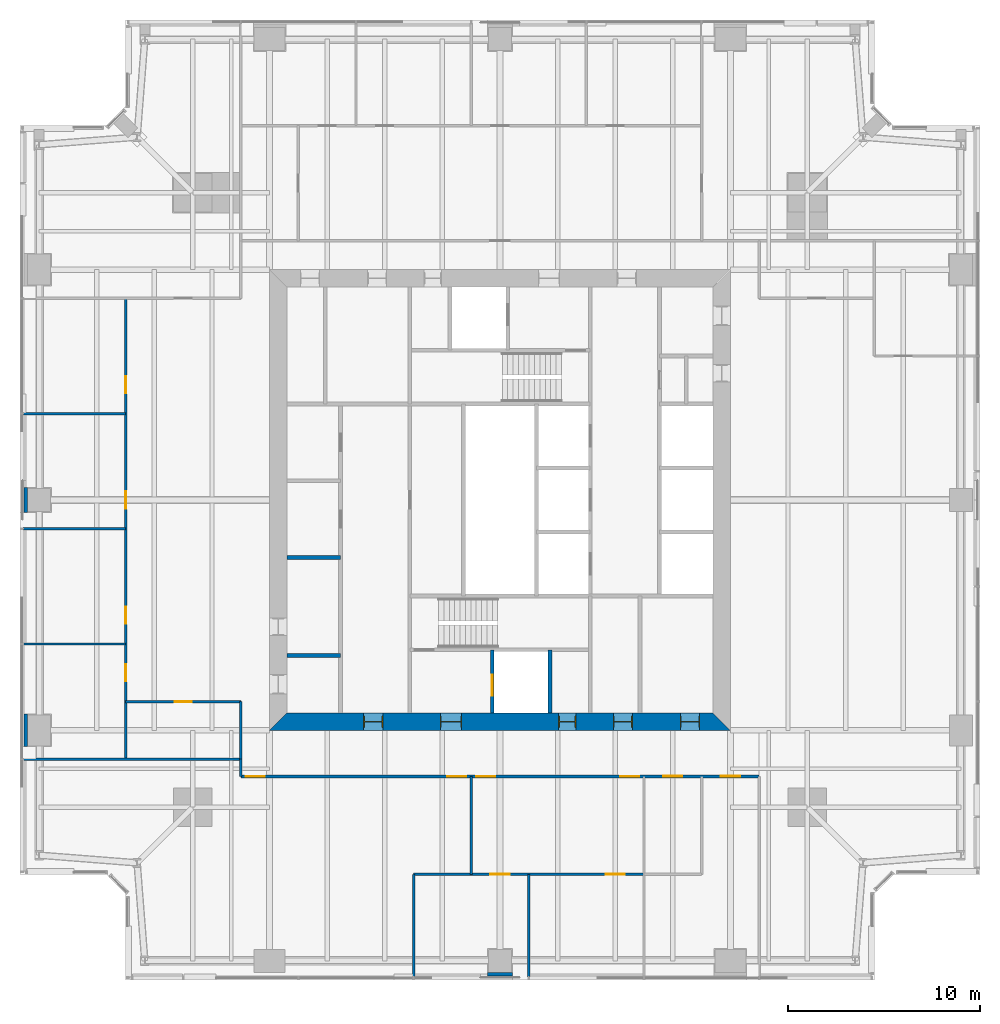
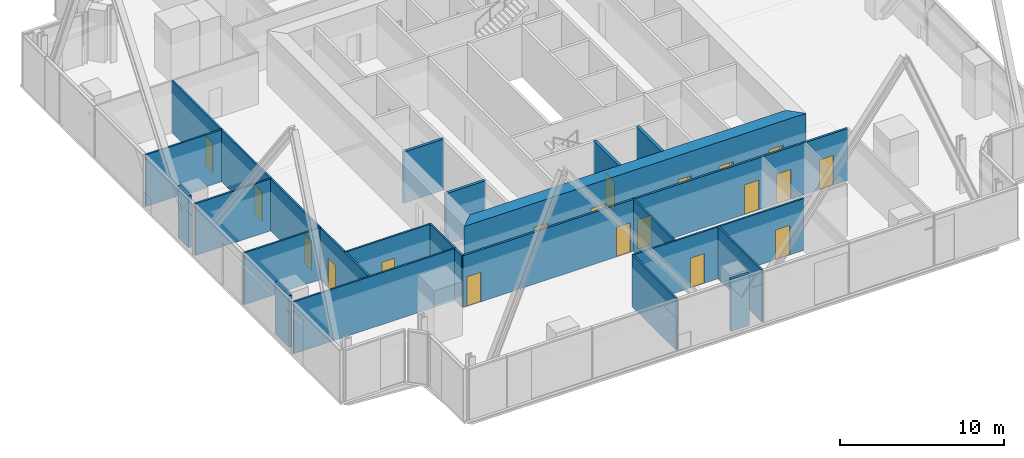
# One storey, part 9 of 14: 21 walls, 19 doors, 19 openings.
"""IFC4 building model written with IfcOpenShell, lengths in metres."""

from ifc_helpers import new_model, si_unit, direction, frame, frame_2d, origin, place, context, subcontext, project, spatial, polyline, rectangle, outline, extrude, material, layer, layer_set, type_object, element, fill, save


model = new_model("IFC4")

# Units and contexts
model_context = context("Model", 3, precision=1e-05, world=origin(), true_north=direction((0.0, 1.0)))
body_context = subcontext(model_context, "Body", "Model", "MODEL_VIEW")
ifc_project = project(units=[si_unit("LENGTHUNIT", "METRE"), si_unit("AREAUNIT", "SQUARE_METRE"), si_unit("VOLUMEUNIT", "CUBIC_METRE"), si_unit("PLANEANGLEUNIT", "RADIAN"), si_unit("MASSUNIT", "GRAM", prefix="KILO")], contexts=[model_context])

# Site, building, storey
site_placement = place(None, origin())
site = spatial("IfcSite", under=ifc_project, at=site_placement, CompositionType="ELEMENT")
building_placement = place(site_placement, origin())
building = spatial("IfcBuilding", under=site, at=building_placement, Name="Fenwick Lantern Interchange", CompositionType="ELEMENT")
storey_placement = place(building_placement, frame((0.0, 0.0, 185.800048828125)))
storey = spatial("IfcBuildingStorey", under=building, at=storey_placement, Name="L43", CompositionType="ELEMENT", Elevation=185.800048828125)

# Walls
ifc_material_1 = material(Name="Fire-rated gypsum board encasement on steel studs, 2 hour", Category="steel")
ifc_layer_1 = layer(ifc_material_1, 1.300048828125)
ifc_layer_set_1 = layer_set([ifc_layer_1], Name="COLUMN PIER 1300")
wall_type_1 = type_object("IfcWallType", Name="COLUMN PIER 1300", PredefinedType="PARTITIONING", material=ifc_layer_set_1)
for number, where, z_axis, x_axis, name in (
    (1, (25.0, 0.199951171875, 0.0), (0.0, 0.0, 1.0), (0.0, 1.0, 0.0), "L43/W/PIER/CS3"),
    (2, (0.199951171875, 25.0, 0.0), (0.0, 0.0, 1.0), (1.0, 0.0, 0.0), "L43/W/PIER/CW3"),
):
    element("IfcWall", number, at=place(storey_placement, frame(where, z_axis=z_axis, x_axis=x_axis)), inside=storey, type_object=wall_type_1, Name=name, PredefinedType="PARTITIONING", context=body_context, shape_type="SweptSolid", body=[
        extrude(rectangle(XDim=0.199951171875, YDim=1.300048828125, at=frame_2d((0.10009765625, 0.0))), origin(), (0.0, 0.0, 1.0), 3.849853515625),
    ])
ifc_layer_2 = layer(ifc_material_1, 1.699951171875)
ifc_layer_set_2 = layer_set([ifc_layer_2], Name="COLUMN PIER 1700")
wall_type_2 = type_object("IfcWallType", Name="COLUMN PIER 1700", PredefinedType="PARTITIONING", material=ifc_layer_set_2)
wall_1_placement = place(storey_placement, frame((0.199951171875, 13.0, 0.0), z_axis=(0.0, 0.0, 1.0), x_axis=(1.0, 0.0, 0.0)))
element("IfcWall", 3, at=wall_1_placement, inside=storey, type_object=wall_type_2, Name="L43/W/PIER/CW4", PredefinedType="PARTITIONING", context=body_context, shape_type="SweptSolid", body=[
    extrude(rectangle(XDim=0.199951171875, YDim=1.699951171875, at=frame_2d((0.10009765625, 0.0))), origin(), (0.0, 0.0, 1.0), 3.849853515625),
])

# Wall, opening, door
ifc_material_2 = material(Name="Concrete masonry ASTM C90 Grade N", Category="masonry")
ifc_layer_3 = layer(ifc_material_2, 0.199951171875)
ifc_layer_set_3 = layer_set([ifc_layer_3], Name="Concrete masonry ASTM C90 Grade N")
wall_type_3 = type_object("IfcWallType", Name="CORE PARTITION 200", PredefinedType="PARTITIONING", material=ifc_layer_set_3)
wall_2_placement = place(storey_placement, frame((24.60009765625, 13.89990234375, 0.0), z_axis=(0.0, 0.0, 1.0), x_axis=(0.0, 1.0, 0.0)))
wall_2 = element("IfcWall", 4, at=wall_2_placement, inside=storey, type_object=wall_type_3, Name="L43/W/CORES/h1", PredefinedType="PARTITIONING", context=body_context, shape_type="SweptSolid", body=[
    extrude(rectangle(XDim=3.300048828125, YDim=0.199951171875, at=frame_2d((1.64990234375, 0.0))), origin(), (0.0, 0.0, 1.0), 3.800048828125),
])
opening_1_placement = place(wall_2_placement, frame((0.89990234375, 0.0, 0.0)))
opening_1 = element("IfcOpeningElement", 5, at=opening_1_placement, cuts=wall_2, Name="Opening LD-FL1", PredefinedType="OPENING", context=body_context, shape_type="SweptSolid", body=[
    extrude(rectangle(XDim=1.10009765625, YDim=2.199951171875, at=frame_2d((0.550048828125, 1.10009765625))), frame((0.0, 0.10986328125, 0.0), z_axis=(0.0, -1.0, 0.0), x_axis=(1.0, 0.0, 0.0)), (0.0, 0.0, 1.0), 0.219970703125),
])
ifc_material_3 = material(Name="Steel door and frame", Category="steel")
door_type_1 = type_object("IfcDoorType", Name="LIFT LANDING DOOR 1100 X 2200", OperationType="DOUBLE_DOOR_SLIDING", PredefinedType="DOOR", material=ifc_material_3)
door_1_placement = place(opening_1_placement, origin())
door_1 = element("IfcDoor", 6, at=door_1_placement, inside=storey, type_object=door_type_1, Name="Lift landing door FL1", OperationType="DOUBLE_DOOR_SLIDING", OverallHeight=2.199951171875, OverallWidth=1.10009765625, PredefinedType="DOOR", context=body_context, shape_type="SweptSolid", body=[
    extrude(rectangle(XDim=1.10009765625, YDim=2.199951171875, at=frame_2d((0.550048828125, 1.10009765625))), frame((0.0, 0.02490234375, 0.0), z_axis=(0.0, -1.0, 0.0), x_axis=(1.0, 0.0, 0.0)), (0.0, 0.0, 1.0), 0.050048828125),
])
fill(opening_1, door_1)

# Walls
wall_3_placement = place(storey_placement, frame((27.60009765625, 13.89990234375, 0.0), z_axis=(0.0, 0.0, 1.0), x_axis=(0.0, 1.0, 0.0)))
element("IfcWall", 7, at=wall_3_placement, inside=storey, type_object=wall_type_3, Name="L43/W/CORES/h2", PredefinedType="PARTITIONING", context=body_context, shape_type="SweptSolid", body=[
    extrude(rectangle(XDim=3.300048828125, YDim=0.199951171875, at=frame_2d((1.64990234375, 0.0))), origin(), (0.0, 0.0, 1.0), 3.800048828125),
])
for number, where, z_axis, x_axis, name in (
    (8, (13.89990234375, 16.89990234375, 0.0), (0.0, 0.0, 1.0), (1.0, 0.0, 0.0), "L43/W/CORES/p1"),
    (9, (13.89990234375, 22.0, 0.0), (0.0, 0.0, 1.0), (1.0, 0.0, 0.0), "L43/W/CORES/p2"),
):
    element("IfcWall", number, at=place(storey_placement, frame(where, z_axis=z_axis, x_axis=x_axis)), inside=storey, type_object=wall_type_3, Name=name, PredefinedType="PARTITIONING", context=body_context, shape_type="SweptSolid", body=[
        extrude(rectangle(XDim=2.800048828125, YDim=0.199951171875, at=frame_2d((1.39990234375, 0.0))), origin(), (0.0, 0.0, 1.0), 3.800048828125),
    ])

# Wall, openings, doors
ifc_material_4 = material(Name="Concrete f'c 70 MPa", Category="concrete")
ifc_layer_4 = layer(ifc_material_4, 0.89990234375)
ifc_layer_set_4 = layer_set([ifc_layer_4], Name="CORE WALL 900")
wall_type_4 = type_object("IfcWallType", Name="CORE WALL 900", PredefinedType="SHEAR", material=ifc_layer_set_4)
wall_4_placement = place(storey_placement, frame((13.0, 13.449951171875, 0.0), z_axis=(0.0, 0.0, 1.0), x_axis=(1.0, 0.0, 0.0)))
wall_4 = element("IfcWall", 10, at=wall_4_placement, inside=storey, type_object=wall_type_4, Name="L43/CORE/S", PredefinedType="SHEAR", context=body_context, shape_type="SweptSolid", body=[
    extrude(outline(polyline([(0.0, -0.449951171875), (24.0, -0.449951171875), (23.10009765625, 0.449951171875), (0.89990234375, 0.449951171875), (0.0, -0.449951171875)])), origin(), (0.0, 0.0, 1.0), 4.0),
])
opening_2_placement = place(wall_4_placement, frame((4.89990234375, 0.0, 0.0)))
opening_2 = element("IfcOpeningElement", 11, at=opening_2_placement, cuts=wall_4, Name="Opening L43-D001", PredefinedType="OPENING", context=body_context, shape_type="SweptSolid", body=[
    extrude(rectangle(XDim=1.0, YDim=2.199951171875, at=frame_2d((0.5, 1.10009765625))), frame((0.0, 0.4599609375, 0.0), z_axis=(0.0, -1.0, 0.0), x_axis=(1.0, 0.0, 0.0)), (0.0, 0.0, 1.0), 0.919921875),
])
opening_3_placement = place(wall_4_placement, frame((8.89990234375, 0.0, 0.0)))
opening_3 = element("IfcOpeningElement", 12, at=opening_3_placement, cuts=wall_4, Name="Opening L43-D002", PredefinedType="OPENING", context=body_context, shape_type="SweptSolid", body=[
    extrude(rectangle(XDim=1.10009765625, YDim=2.199951171875, at=frame_2d((0.550048828125, 1.10009765625))), frame((0.0, 0.4599609375, 0.0), z_axis=(0.0, -1.0, 0.0), x_axis=(1.0, 0.0, 0.0)), (0.0, 0.0, 1.0), 0.919921875),
])
opening_4_placement = place(wall_4_placement, frame((15.050048828125, 0.0, 0.0)))
opening_4 = element("IfcOpeningElement", 13, at=opening_4_placement, cuts=wall_4, Name="Opening L43-D004", PredefinedType="OPENING", context=body_context, shape_type="SweptSolid", body=[
    extrude(rectangle(XDim=0.89990234375, YDim=2.199951171875, at=frame_2d((0.449951171875, 1.10009765625))), frame((0.0, 0.4599609375, 0.0), z_axis=(0.0, -1.0, 0.0), x_axis=(1.0, 0.0, 0.0)), (0.0, 0.0, 1.0), 0.919921875),
])
opening_5_placement = place(wall_4_placement, frame((17.89990234375, 0.0, 0.0)))
opening_5 = element("IfcOpeningElement", 14, at=opening_5_placement, cuts=wall_4, Name="Opening L43-D005", PredefinedType="OPENING", context=body_context, shape_type="SweptSolid", body=[
    extrude(rectangle(XDim=1.0, YDim=2.199951171875, at=frame_2d((0.5, 1.10009765625))), frame((0.0, 0.4599609375, 0.0), z_axis=(0.0, -1.0, 0.0), x_axis=(1.0, 0.0, 0.0)), (0.0, 0.0, 1.0), 0.919921875),
])
opening_6_placement = place(wall_4_placement, frame((21.39990234375, 0.0, 0.0)))
opening_6 = element("IfcOpeningElement", 15, at=opening_6_placement, cuts=wall_4, Name="Opening L43-D006", PredefinedType="OPENING", context=body_context, shape_type="SweptSolid", body=[
    extrude(rectangle(XDim=1.0, YDim=2.199951171875, at=frame_2d((0.5, 1.10009765625))), frame((0.0, 0.4599609375, 0.0), z_axis=(0.0, -1.0, 0.0), x_axis=(1.0, 0.0, 0.0)), (0.0, 0.0, 1.0), 0.919921875),
])
door_type_2 = type_object("IfcDoorType", Name="CORE LOBBY DOOR 1000 X 2200", OperationType="SINGLE_SWING_LEFT", PredefinedType="DOOR", material=ifc_material_3)
door_2_placement = place(opening_2_placement, origin())
door_2 = element("IfcDoor", 16, at=door_2_placement, inside=storey, type_object=door_type_2, Name="Core lobby door", OperationType="SINGLE_SWING_LEFT", OverallHeight=2.199951171875, OverallWidth=1.0, PredefinedType="DOOR", context=body_context, shape_type="SweptSolid", body=[
    extrude(rectangle(XDim=1.0, YDim=2.199951171875, at=frame_2d((0.5, 1.10009765625))), frame((0.0, 0.02490234375, 0.0), z_axis=(0.0, -1.0, 0.0), x_axis=(1.0, 0.0, 0.0)), (0.0, 0.0, 1.0), 0.050048828125),
    extrude(outline(polyline([(0.0, 0.0), (0.0400390625, 0.0), (0.0400390625, 2.159912109375), (0.9599609375, 2.159912109375), (0.9599609375, 0.0), (1.0, 0.0), (1.0, 2.199951171875), (0.0, 2.199951171875), (0.0, 0.0)])), frame((0.0, 0.300048828125, 0.0), z_axis=(0.0, -1.0, 0.0), x_axis=(1.0, 0.0, 0.0)), (0.0, 0.0, 1.0), 0.60009765625),
])
fill(opening_2, door_2)
door_type_3 = type_object("IfcDoorType", Name="FIRE LOBBY DOOR 1100 X 2200", OperationType="SINGLE_SWING_LEFT", PredefinedType="DOOR", material=ifc_material_3)
door_3_placement = place(opening_3_placement, origin())
door_3 = element("IfcDoor", 17, at=door_3_placement, inside=storey, type_object=door_type_3, Name="Fire lobby door", OperationType="SINGLE_SWING_LEFT", OverallHeight=2.199951171875, OverallWidth=1.10009765625, PredefinedType="DOOR", context=body_context, shape_type="SweptSolid", body=[
    extrude(rectangle(XDim=1.10009765625, YDim=2.199951171875, at=frame_2d((0.550048828125, 1.10009765625))), frame((0.0, 0.02490234375, 0.0), z_axis=(0.0, -1.0, 0.0), x_axis=(1.0, 0.0, 0.0)), (0.0, 0.0, 1.0), 0.050048828125),
    extrude(outline(polyline([(0.0, 0.0), (0.0400390625, 0.0), (0.0400390625, 2.159912109375), (1.06005859375, 2.159912109375), (1.06005859375, 0.0), (1.10009765625, 0.0), (1.10009765625, 2.199951171875), (0.0, 2.199951171875), (0.0, 0.0)])), frame((0.0, 0.300048828125, 0.0), z_axis=(0.0, -1.0, 0.0), x_axis=(1.0, 0.0, 0.0)), (0.0, 0.0, 1.0), 0.60009765625),
])
fill(opening_3, door_3)
door_type_4 = type_object("IfcDoorType", Name="SERVICE DOOR 900 X 2200", OperationType="SINGLE_SWING_LEFT", PredefinedType="DOOR", material=ifc_material_3)
door_4_placement = place(opening_4_placement, origin())
door_4 = element("IfcDoor", 18, at=door_4_placement, inside=storey, type_object=door_type_4, Name="Service door", OperationType="SINGLE_SWING_LEFT", OverallHeight=2.199951171875, OverallWidth=0.89990234375, PredefinedType="DOOR", context=body_context, shape_type="SweptSolid", body=[
    extrude(rectangle(XDim=0.89990234375, YDim=2.199951171875, at=frame_2d((0.449951171875, 1.10009765625))), frame((0.0, 0.02490234375, 0.0), z_axis=(0.0, -1.0, 0.0), x_axis=(1.0, 0.0, 0.0)), (0.0, 0.0, 1.0), 0.050048828125),
    extrude(outline(polyline([(0.0, 0.0), (0.0400390625, 0.0), (0.0400390625, 2.159912109375), (0.85986328125, 2.159912109375), (0.85986328125, 0.0), (0.89990234375, 0.0), (0.89990234375, 2.199951171875), (0.0, 2.199951171875), (0.0, 0.0)])), frame((0.0, 0.300048828125, 0.0), z_axis=(0.0, -1.0, 0.0), x_axis=(1.0, 0.0, 0.0)), (0.0, 0.0, 1.0), 0.60009765625),
])
fill(opening_4, door_4)
ifc_material_5 = material(Name="Hardwood door and steel frame", Category="steel")
door_type_5 = type_object("IfcDoorType", Name="WC DOOR 1000 X 2200", OperationType="SINGLE_SWING_LEFT", PredefinedType="DOOR", material=ifc_material_5)
door_5_placement = place(opening_5_placement, origin())
door_5 = element("IfcDoor", 19, at=door_5_placement, inside=storey, type_object=door_type_5, Name="Wc door", OperationType="SINGLE_SWING_RIGHT", OverallHeight=2.199951171875, OverallWidth=1.0, PredefinedType="DOOR", context=body_context, shape_type="SweptSolid", body=[
    extrude(rectangle(XDim=1.0, YDim=2.199951171875, at=frame_2d((0.5, 1.10009765625))), frame((0.0, 0.02490234375, 0.0), z_axis=(0.0, -1.0, 0.0), x_axis=(1.0, 0.0, 0.0)), (0.0, 0.0, 1.0), 0.050048828125),
    extrude(outline(polyline([(0.0, 0.0), (0.0400390625, 0.0), (0.0400390625, 2.159912109375), (0.9599609375, 2.159912109375), (0.9599609375, 0.0), (1.0, 0.0), (1.0, 2.199951171875), (0.0, 2.199951171875), (0.0, 0.0)])), frame((0.0, 0.300048828125, 0.0), z_axis=(0.0, -1.0, 0.0), x_axis=(1.0, 0.0, 0.0)), (0.0, 0.0, 1.0), 0.60009765625),
])
fill(opening_5, door_5)
door_6_placement = place(opening_6_placement, origin())
door_6 = element("IfcDoor", 20, at=door_6_placement, inside=storey, type_object=door_type_5, Name="Wc door", OperationType="SINGLE_SWING_RIGHT", OverallHeight=2.199951171875, OverallWidth=1.0, PredefinedType="DOOR", context=body_context, shape_type="SweptSolid", body=[
    extrude(rectangle(XDim=1.0, YDim=2.199951171875, at=frame_2d((0.5, 1.10009765625))), frame((0.0, 0.02490234375, 0.0), z_axis=(0.0, -1.0, 0.0), x_axis=(1.0, 0.0, 0.0)), (0.0, 0.0, 1.0), 0.050048828125),
    extrude(outline(polyline([(0.0, 0.0), (0.0400390625, 0.0), (0.0400390625, 2.159912109375), (0.9599609375, 2.159912109375), (0.9599609375, 0.0), (1.0, 0.0), (1.0, 2.199951171875), (0.0, 2.199951171875), (0.0, 0.0)])), frame((0.0, 0.300048828125, 0.0), z_axis=(0.0, -1.0, 0.0), x_axis=(1.0, 0.0, 0.0)), (0.0, 0.0, 1.0), 0.60009765625),
])
fill(opening_6, door_6)

# Wall
ifc_material_6 = material(Name="Gypsum board on steel studs, 1 hour", Category="steel")
ifc_layer_5 = layer(ifc_material_6, 0.14990234375)
ifc_layer_set_5 = layer_set([ifc_layer_5], Name="CORRIDOR WALL 150")
wall_type_5 = type_object("IfcWallType", Name="CORRIDOR WALL 150", PredefinedType="PARTITIONING", material=ifc_layer_set_5)
wall_5_placement = place(storey_placement, frame((11.5, 11.5, 0.0), z_axis=(0.0, 0.0, 1.0), x_axis=(0.0, -1.0, 0.0)))
element("IfcWall", 21, at=wall_5_placement, inside=storey, type_object=wall_type_5, Name="L43/W/OFF/S/CWJ", PredefinedType="PARTITIONING", context=body_context, shape_type="SweptSolid", body=[
    extrude(rectangle(XDim=0.89990234375, YDim=0.14990234375, at=frame_2d((0.449951171875, 0.0))), origin(), (0.0, 0.0, 1.0), 3.849853515625),
])

# Wall, openings, doors
wall_6_placement = place(storey_placement, frame((11.5, 10.60009765625, 0.0), z_axis=(0.0, 0.0, 1.0), x_axis=(1.0, 0.0, 0.0)))
wall_6 = element("IfcWall", 22, at=wall_6_placement, inside=storey, type_object=wall_type_5, Name="L43/W/OFF/S/CW2", PredefinedType="PARTITIONING", context=body_context, shape_type="SweptSolid", body=[
    extrude(rectangle(XDim=27.0, YDim=0.14990234375, at=frame_2d((13.5, 0.0))), origin(), (0.0, 0.0, 1.0), 3.849853515625),
])
opening_7_placement = place(wall_6_placement, frame((12.25, 0.0, 0.0)))
opening_7 = element("IfcOpeningElement", 23, at=opening_7_placement, cuts=wall_6, Name="Opening L43-D021", PredefinedType="OPENING", context=body_context, shape_type="SweptSolid", body=[
    extrude(rectangle(XDim=1.0, YDim=2.199951171875, at=frame_2d((0.5, 1.10009765625))), frame((0.0, 0.0849609375, 0.0), z_axis=(0.0, -1.0, 0.0), x_axis=(1.0, 0.0, 0.0)), (0.0, 0.0, 1.0), 0.169921875),
])
opening_8_placement = place(wall_6_placement, frame((19.75, 0.0, 0.0)))
opening_8 = element("IfcOpeningElement", 24, at=opening_8_placement, cuts=wall_6, Name="Opening L43-D022", PredefinedType="OPENING", context=body_context, shape_type="SweptSolid", body=[
    extrude(rectangle(XDim=1.0, YDim=2.199951171875, at=frame_2d((0.5, 1.10009765625))), frame((0.0, 0.0849609375, 0.0), z_axis=(0.0, -1.0, 0.0), x_axis=(1.0, 0.0, 0.0)), (0.0, 0.0, 1.0), 0.169921875),
])
opening_9_placement = place(wall_6_placement, frame((0.25, 0.0, 0.0)))
opening_9 = element("IfcOpeningElement", 25, at=opening_9_placement, cuts=wall_6, Name="Opening L43-D025", PredefinedType="OPENING", context=body_context, shape_type="SweptSolid", body=[
    extrude(rectangle(XDim=1.0, YDim=2.199951171875, at=frame_2d((0.5, 1.10009765625))), frame((0.0, 0.0849609375, 0.0), z_axis=(0.0, -1.0, 0.0), x_axis=(1.0, 0.0, 0.0)), (0.0, 0.0, 1.0), 0.169921875),
])
opening_10_placement = place(wall_6_placement, frame((10.75, 0.0, 0.0)))
opening_10 = element("IfcOpeningElement", 26, at=opening_10_placement, cuts=wall_6, Name="Opening L43-D026", PredefinedType="OPENING", context=body_context, shape_type="SweptSolid", body=[
    extrude(rectangle(XDim=1.0, YDim=2.199951171875, at=frame_2d((0.5, 1.10009765625))), frame((0.0, 0.0849609375, 0.0), z_axis=(0.0, -1.0, 0.0), x_axis=(1.0, 0.0, 0.0)), (0.0, 0.0, 1.0), 0.169921875),
])
opening_11_placement = place(wall_6_placement, frame((22.0, 0.0, 0.0)))
opening_11 = element("IfcOpeningElement", 27, at=opening_11_placement, cuts=wall_6, Name="Opening L43-D027", PredefinedType="OPENING", context=body_context, shape_type="SweptSolid", body=[
    extrude(rectangle(XDim=1.0, YDim=2.199951171875, at=frame_2d((0.5, 1.10009765625))), frame((0.0, 0.0849609375, 0.0), z_axis=(0.0, -1.0, 0.0), x_axis=(1.0, 0.0, 0.0)), (0.0, 0.0, 1.0), 0.169921875),
])
opening_12_placement = place(wall_6_placement, frame((25.0, 0.0, 0.0)))
opening_12 = element("IfcOpeningElement", 28, at=opening_12_placement, cuts=wall_6, Name="Opening L43-D028", PredefinedType="OPENING", context=body_context, shape_type="SweptSolid", body=[
    extrude(rectangle(XDim=1.0, YDim=2.199951171875, at=frame_2d((0.5, 1.10009765625))), frame((0.0, 0.0849609375, 0.0), z_axis=(0.0, -1.0, 0.0), x_axis=(1.0, 0.0, 0.0)), (0.0, 0.0, 1.0), 0.169921875),
])
door_type_6 = type_object("IfcDoorType", Name="SUITE ENTRANCE DOOR 1000 X 2200", OperationType="SINGLE_SWING_LEFT", PredefinedType="DOOR", material=ifc_material_3)
door_7_placement = place(opening_7_placement, origin())
door_7 = element("IfcDoor", 29, at=door_7_placement, inside=storey, type_object=door_type_6, Name="Suite entrance door", OperationType="SINGLE_SWING_LEFT", OverallHeight=2.199951171875, OverallWidth=1.0, PredefinedType="DOOR", context=body_context, shape_type="SweptSolid", body=[
    extrude(rectangle(XDim=1.0, YDim=2.199951171875, at=frame_2d((0.5, 1.10009765625))), frame((0.0, 0.02490234375, 0.0), z_axis=(0.0, -1.0, 0.0), x_axis=(1.0, 0.0, 0.0)), (0.0, 0.0, 1.0), 0.050048828125),
])
fill(opening_7, door_7)
door_8_placement = place(opening_8_placement, origin())
door_8 = element("IfcDoor", 30, at=door_8_placement, inside=storey, type_object=door_type_6, Name="Suite entrance door", OperationType="SINGLE_SWING_RIGHT", OverallHeight=2.199951171875, OverallWidth=1.0, PredefinedType="DOOR", context=body_context, shape_type="SweptSolid", body=[
    extrude(rectangle(XDim=1.0, YDim=2.199951171875, at=frame_2d((0.5, 1.10009765625))), frame((0.0, 0.02490234375, 0.0), z_axis=(0.0, -1.0, 0.0), x_axis=(1.0, 0.0, 0.0)), (0.0, 0.0, 1.0), 0.050048828125),
])
fill(opening_8, door_8)
door_9_placement = place(opening_9_placement, origin())
door_9 = element("IfcDoor", 31, at=door_9_placement, inside=storey, type_object=door_type_6, Name="Suite entrance door", OperationType="SINGLE_SWING_LEFT", OverallHeight=2.199951171875, OverallWidth=1.0, PredefinedType="DOOR", context=body_context, shape_type="SweptSolid", body=[
    extrude(rectangle(XDim=1.0, YDim=2.199951171875, at=frame_2d((0.5, 1.10009765625))), frame((0.0, 0.02490234375, 0.0), z_axis=(0.0, -1.0, 0.0), x_axis=(1.0, 0.0, 0.0)), (0.0, 0.0, 1.0), 0.050048828125),
])
fill(opening_9, door_9)
door_10_placement = place(opening_10_placement, origin())
door_10 = element("IfcDoor", 32, at=door_10_placement, inside=storey, type_object=door_type_6, Name="Suite entrance door", OperationType="SINGLE_SWING_LEFT", OverallHeight=2.199951171875, OverallWidth=1.0, PredefinedType="DOOR", context=body_context, shape_type="SweptSolid", body=[
    extrude(rectangle(XDim=1.0, YDim=2.199951171875, at=frame_2d((0.5, 1.10009765625))), frame((0.0, 0.02490234375, 0.0), z_axis=(0.0, -1.0, 0.0), x_axis=(1.0, 0.0, 0.0)), (0.0, 0.0, 1.0), 0.050048828125),
])
fill(opening_10, door_10)
door_11_placement = place(opening_11_placement, frame((1.0, 0.0, 0.0), z_axis=(0.0, 0.0, 1.0), x_axis=(-1.0, 0.0, 0.0)))
door_11 = element("IfcDoor", 33, at=door_11_placement, inside=storey, type_object=door_type_6, Name="Suite entrance door", OperationType="SINGLE_SWING_RIGHT", OverallHeight=2.199951171875, OverallWidth=1.0, PredefinedType="DOOR", context=body_context, shape_type="SweptSolid", body=[
    extrude(rectangle(XDim=1.0, YDim=2.199951171875, at=frame_2d((0.5, 1.10009765625))), frame((0.0, 0.02490234375, 0.0), z_axis=(0.0, -1.0, 0.0), x_axis=(1.0, 0.0, 0.0)), (0.0, 0.0, 1.0), 0.050048828125),
])
fill(opening_11, door_11)
door_12_placement = place(opening_12_placement, frame((1.0, 0.0, 0.0), z_axis=(0.0, 0.0, 1.0), x_axis=(-1.0, 0.0, 0.0)))
door_12 = element("IfcDoor", 34, at=door_12_placement, inside=storey, type_object=door_type_6, Name="Suite entrance door", OperationType="SINGLE_SWING_RIGHT", OverallHeight=2.199951171875, OverallWidth=1.0, PredefinedType="DOOR", context=body_context, shape_type="SweptSolid", body=[
    extrude(rectangle(XDim=1.0, YDim=2.199951171875, at=frame_2d((0.5, 1.10009765625))), frame((0.0, 0.02490234375, 0.0), z_axis=(0.0, -1.0, 0.0), x_axis=(1.0, 0.0, 0.0)), (0.0, 0.0, 1.0), 0.050048828125),
])
fill(opening_12, door_12)

# Walls
ifc_material_7 = material(Name="Gypsum board on steel studs, acoustic", Category="steel")
ifc_layer_6 = layer(ifc_material_7, 0.125)
ifc_layer_set_6 = layer_set([ifc_layer_6], Name="OFFICE PARTITION 125")
wall_type_6 = type_object("IfcWallType", Name="OFFICE PARTITION 125", PredefinedType="PARTITIONING", material=ifc_layer_set_6)
wall_7_placement = place(storey_placement, frame((0.14990234375, 11.5, 0.0), z_axis=(0.0, 0.0, 1.0), x_axis=(1.0, 0.0, 0.0)))
element("IfcWall", 35, at=wall_7_placement, inside=storey, type_object=wall_type_6, Name="L43/W/OFF/S/BACK", PredefinedType="PARTITIONING", context=body_context, shape_type="SweptSolid", body=[
    extrude(rectangle(XDim=11.35009765625, YDim=0.125, at=frame_2d((5.675048828125, 0.0))), origin(), (0.0, 0.0, 1.0), 3.849853515625),
])
wall_8_placement = place(storey_placement, frame((20.5, 0.14990234375, 0.0), z_axis=(0.0, 0.0, 1.0), x_axis=(0.0, 1.0, 0.0)))
element("IfcWall", 36, at=wall_8_placement, inside=storey, type_object=wall_type_6, Name="L43/W/OFF/S/X205-1", PredefinedType="PARTITIONING", context=body_context, shape_type="SweptSolid", body=[
    extrude(rectangle(XDim=5.35009765625, YDim=0.125, at=frame_2d((2.675048828125, 0.0))), origin(), (0.0, 0.0, 1.0), 3.849853515625),
])
wall_9_placement = place(storey_placement, frame((23.5, 5.5, 0.0), z_axis=(0.0, 0.0, 1.0), x_axis=(0.0, 1.0, 0.0)))
element("IfcWall", 37, at=wall_9_placement, inside=storey, type_object=wall_type_6, Name="L43/W/OFF/S/X235-1", PredefinedType="PARTITIONING", context=body_context, shape_type="SweptSolid", body=[
    extrude(rectangle(XDim=5.10009765625, YDim=0.125, at=frame_2d((2.550048828125, 0.0))), origin(), (0.0, 0.0, 1.0), 3.849853515625),
])
wall_10_placement = place(storey_placement, frame((26.5, 0.14990234375, 0.0), z_axis=(0.0, 0.0, 1.0), x_axis=(0.0, 1.0, 0.0)))
element("IfcWall", 38, at=wall_10_placement, inside=storey, type_object=wall_type_6, Name="L43/W/OFF/S/X265-1", PredefinedType="PARTITIONING", context=body_context, shape_type="SweptSolid", body=[
    extrude(rectangle(XDim=5.35009765625, YDim=0.125, at=frame_2d((2.675048828125, 0.0))), origin(), (0.0, 0.0, 1.0), 3.849853515625),
])

# Wall, openings, doors
wall_11_placement = place(storey_placement, frame((20.5, 5.5, 0.0), z_axis=(0.0, 0.0, 1.0), x_axis=(1.0, 0.0, 0.0)))
wall_11 = element("IfcWall", 39, at=wall_11_placement, inside=storey, type_object=wall_type_6, Name="L43/W/OFF/S/Y55-1", PredefinedType="PARTITIONING", context=body_context, shape_type="SweptSolid", body=[
    extrude(rectangle(XDim=12.0, YDim=0.125, at=frame_2d((6.0, 0.0))), origin(), (0.0, 0.0, 1.0), 3.849853515625),
])
opening_13_placement = place(wall_11_placement, frame((4.0, 0.0, 0.0)))
opening_13 = element("IfcOpeningElement", 40, at=opening_13_placement, cuts=wall_11, Name="Opening L43-D023", PredefinedType="OPENING", context=body_context, shape_type="SweptSolid", body=[
    extrude(rectangle(XDim=1.0, YDim=2.199951171875, at=frame_2d((0.5, 1.10009765625))), frame((0.0, 0.072509765625, 0.0), z_axis=(0.0, -1.0, 0.0), x_axis=(1.0, 0.0, 0.0)), (0.0, 0.0, 1.0), 0.14501953125),
])
opening_14_placement = place(wall_11_placement, frame((10.0, 0.0, 0.0)))
opening_14 = element("IfcOpeningElement", 41, at=opening_14_placement, cuts=wall_11, Name="Opening L43-D024", PredefinedType="OPENING", context=body_context, shape_type="SweptSolid", body=[
    extrude(rectangle(XDim=1.0, YDim=2.199951171875, at=frame_2d((0.5, 1.10009765625))), frame((0.0, 0.072509765625, 0.0), z_axis=(0.0, -1.0, 0.0), x_axis=(1.0, 0.0, 0.0)), (0.0, 0.0, 1.0), 0.14501953125),
])
door_type_7 = type_object("IfcDoorType", Name="MEETING ROOM DOOR 1000 X 2200", OperationType="SINGLE_SWING_LEFT", PredefinedType="DOOR", material=ifc_material_5)
door_13_placement = place(opening_13_placement, frame((1.0, 0.0, 0.0), z_axis=(0.0, 0.0, 1.0), x_axis=(-1.0, 0.0, 0.0)))
door_13 = element("IfcDoor", 42, at=door_13_placement, inside=storey, type_object=door_type_7, Name="Meeting room door", OperationType="SINGLE_SWING_LEFT", OverallHeight=2.199951171875, OverallWidth=1.0, PredefinedType="DOOR", context=body_context, shape_type="SweptSolid", body=[
    extrude(rectangle(XDim=1.0, YDim=2.199951171875, at=frame_2d((0.5, 1.10009765625))), frame((0.0, 0.02490234375, 0.0), z_axis=(0.0, -1.0, 0.0), x_axis=(1.0, 0.0, 0.0)), (0.0, 0.0, 1.0), 0.050048828125),
])
fill(opening_13, door_13)
door_14_placement = place(opening_14_placement, frame((1.0, 0.0, 0.0), z_axis=(0.0, 0.0, 1.0), x_axis=(-1.0, 0.0, 0.0)))
door_14 = element("IfcDoor", 43, at=door_14_placement, inside=storey, type_object=door_type_7, Name="Meeting room door", OperationType="SINGLE_SWING_LEFT", OverallHeight=2.199951171875, OverallWidth=1.0, PredefinedType="DOOR", context=body_context, shape_type="SweptSolid", body=[
    extrude(rectangle(XDim=1.0, YDim=2.199951171875, at=frame_2d((0.5, 1.10009765625))), frame((0.0, 0.02490234375, 0.0), z_axis=(0.0, -1.0, 0.0), x_axis=(1.0, 0.0, 0.0)), (0.0, 0.0, 1.0), 0.050048828125),
])
fill(opening_14, door_14)

# Walls
for number, where, z_axis, x_axis, name in (
    (44, (0.14990234375, 29.5, 0.0), (0.0, 0.0, 1.0), (1.0, 0.0, 0.0), "L43/W/OFF/W/X205-1"),
    (45, (0.14990234375, 23.5, 0.0), (0.0, 0.0, 1.0), (1.0, 0.0, 0.0), "L43/W/OFF/W/X265-1"),
    (46, (0.14990234375, 17.5, 0.0), (0.0, 0.0, 1.0), (1.0, 0.0, 0.0), "L43/W/OFF/W/X325-1"),
):
    element("IfcWall", number, at=place(storey_placement, frame(where, z_axis=z_axis, x_axis=x_axis)), inside=storey, type_object=wall_type_6, Name=name, PredefinedType="PARTITIONING", context=body_context, shape_type="SweptSolid", body=[
        extrude(rectangle(XDim=5.35009765625, YDim=0.125, at=frame_2d((2.675048828125, 0.0))), origin(), (0.0, 0.0, 1.0), 3.849853515625),
    ])

# Wall, opening, door
wall_12_placement = place(storey_placement, frame((5.5, 14.5, 0.0), z_axis=(0.0, 0.0, 1.0), x_axis=(1.0, 0.0, 0.0)))
wall_12 = element("IfcWall", 47, at=wall_12_placement, inside=storey, type_object=wall_type_6, Name="L43/W/OFF/W/X355-1", PredefinedType="PARTITIONING", context=body_context, shape_type="SweptSolid", body=[
    extrude(rectangle(XDim=6.0, YDim=0.125, at=frame_2d((3.0, 0.0))), origin(), (0.0, 0.0, 1.0), 3.849853515625),
])
opening_15_placement = place(wall_12_placement, frame((2.550048828125, 0.0, 0.0)))
opening_15 = element("IfcOpeningElement", 48, at=opening_15_placement, cuts=wall_12, Name="Opening L43-D043", PredefinedType="OPENING", context=body_context, shape_type="SweptSolid", body=[
    extrude(rectangle(XDim=0.89990234375, YDim=2.199951171875, at=frame_2d((0.449951171875, 1.10009765625))), frame((0.0, 0.072509765625, 0.0), z_axis=(0.0, -1.0, 0.0), x_axis=(1.0, 0.0, 0.0)), (0.0, 0.0, 1.0), 0.14501953125),
])
door_type_8 = type_object("IfcDoorType", Name="OFFICE DOOR 900 X 2200", OperationType="SINGLE_SWING_LEFT", PredefinedType="DOOR", material=ifc_material_5)
door_15_placement = place(opening_15_placement, frame((0.89990234375, 0.0, 0.0), z_axis=(0.0, 0.0, 1.0), x_axis=(-1.0, 0.0, 0.0)))
door_15 = element("IfcDoor", 49, at=door_15_placement, inside=storey, type_object=door_type_8, Name="Office door", OperationType="SINGLE_SWING_RIGHT", OverallHeight=2.199951171875, OverallWidth=0.89990234375, PredefinedType="DOOR", context=body_context, shape_type="SweptSolid", body=[
    extrude(rectangle(XDim=0.89990234375, YDim=2.199951171875, at=frame_2d((0.449951171875, 1.10009765625))), frame((0.0, 0.02490234375, 0.0), z_axis=(0.0, -1.0, 0.0), x_axis=(1.0, 0.0, 0.0)), (0.0, 0.0, 1.0), 0.050048828125),
])
fill(opening_15, door_15)

# Wall, openings, doors
wall_13_placement = place(storey_placement, frame((5.5, 35.5, 0.0), z_axis=(0.0, 0.0, 1.0), x_axis=(0.0, -1.0, 0.0)))
wall_13 = element("IfcWall", 50, at=wall_13_placement, inside=storey, type_object=wall_type_6, Name="L43/W/OFF/W/Y55-1", PredefinedType="PARTITIONING", context=body_context, shape_type="SweptSolid", body=[
    extrude(rectangle(XDim=24.0, YDim=0.125, at=frame_2d((12.0, 0.0))), origin(), (0.0, 0.0, 1.0), 3.849853515625),
])
opening_16_placement = place(wall_13_placement, frame((4.050048828125, 0.0, 0.0)))
opening_16 = element("IfcOpeningElement", 51, at=opening_16_placement, cuts=wall_13, Name="Opening L43-D039", PredefinedType="OPENING", context=body_context, shape_type="SweptSolid", body=[
    extrude(rectangle(XDim=0.89990234375, YDim=2.199951171875, at=frame_2d((0.449951171875, 1.10009765625))), frame((0.0, 0.072509765625, 0.0), z_axis=(0.0, -1.0, 0.0), x_axis=(1.0, 0.0, 0.0)), (0.0, 0.0, 1.0), 0.14501953125),
])
opening_17_placement = place(wall_13_placement, frame((10.050048828125, 0.0, 0.0)))
opening_17 = element("IfcOpeningElement", 52, at=opening_17_placement, cuts=wall_13, Name="Opening L43-D040", PredefinedType="OPENING", context=body_context, shape_type="SweptSolid", body=[
    extrude(rectangle(XDim=0.89990234375, YDim=2.199951171875, at=frame_2d((0.449951171875, 1.10009765625))), frame((0.0, 0.072509765625, 0.0), z_axis=(0.0, -1.0, 0.0), x_axis=(1.0, 0.0, 0.0)), (0.0, 0.0, 1.0), 0.14501953125),
])
opening_18_placement = place(wall_13_placement, frame((16.050048828125, 0.0, 0.0)))
opening_18 = element("IfcOpeningElement", 53, at=opening_18_placement, cuts=wall_13, Name="Opening L43-D041", PredefinedType="OPENING", context=body_context, shape_type="SweptSolid", body=[
    extrude(rectangle(XDim=0.89990234375, YDim=2.199951171875, at=frame_2d((0.449951171875, 1.10009765625))), frame((0.0, 0.072509765625, 0.0), z_axis=(0.0, -1.0, 0.0), x_axis=(1.0, 0.0, 0.0)), (0.0, 0.0, 1.0), 0.14501953125),
])
opening_19_placement = place(wall_13_placement, frame((19.050048828125, 0.0, 0.0)))
opening_19 = element("IfcOpeningElement", 54, at=opening_19_placement, cuts=wall_13, Name="Opening L43-D042", PredefinedType="OPENING", context=body_context, shape_type="SweptSolid", body=[
    extrude(rectangle(XDim=0.89990234375, YDim=2.199951171875, at=frame_2d((0.449951171875, 1.10009765625))), frame((0.0, 0.072509765625, 0.0), z_axis=(0.0, -1.0, 0.0), x_axis=(1.0, 0.0, 0.0)), (0.0, 0.0, 1.0), 0.14501953125),
])
door_16_placement = place(opening_16_placement, frame((0.89990234375, 0.0, 0.0), z_axis=(0.0, 0.0, 1.0), x_axis=(-1.0, 0.0, 0.0)))
door_16 = element("IfcDoor", 55, at=door_16_placement, inside=storey, type_object=door_type_8, Name="Office door", OperationType="SINGLE_SWING_LEFT", OverallHeight=2.199951171875, OverallWidth=0.89990234375, PredefinedType="DOOR", context=body_context, shape_type="SweptSolid", body=[
    extrude(rectangle(XDim=0.89990234375, YDim=2.199951171875, at=frame_2d((0.449951171875, 1.10009765625))), frame((0.0, 0.02490234375, 0.0), z_axis=(0.0, -1.0, 0.0), x_axis=(1.0, 0.0, 0.0)), (0.0, 0.0, 1.0), 0.050048828125),
])
fill(opening_16, door_16)
door_17_placement = place(opening_17_placement, frame((0.89990234375, 0.0, 0.0), z_axis=(0.0, 0.0, 1.0), x_axis=(-1.0, 0.0, 0.0)))
door_17 = element("IfcDoor", 56, at=door_17_placement, inside=storey, type_object=door_type_8, Name="Office door", OperationType="SINGLE_SWING_LEFT", OverallHeight=2.199951171875, OverallWidth=0.89990234375, PredefinedType="DOOR", context=body_context, shape_type="SweptSolid", body=[
    extrude(rectangle(XDim=0.89990234375, YDim=2.199951171875, at=frame_2d((0.449951171875, 1.10009765625))), frame((0.0, 0.02490234375, 0.0), z_axis=(0.0, -1.0, 0.0), x_axis=(1.0, 0.0, 0.0)), (0.0, 0.0, 1.0), 0.050048828125),
])
fill(opening_17, door_17)
door_18_placement = place(opening_18_placement, frame((0.89990234375, 0.0, 0.0), z_axis=(0.0, 0.0, 1.0), x_axis=(-1.0, 0.0, 0.0)))
door_18 = element("IfcDoor", 57, at=door_18_placement, inside=storey, type_object=door_type_8, Name="Office door", OperationType="SINGLE_SWING_LEFT", OverallHeight=2.199951171875, OverallWidth=0.89990234375, PredefinedType="DOOR", context=body_context, shape_type="SweptSolid", body=[
    extrude(rectangle(XDim=0.89990234375, YDim=2.199951171875, at=frame_2d((0.449951171875, 1.10009765625))), frame((0.0, 0.02490234375, 0.0), z_axis=(0.0, -1.0, 0.0), x_axis=(1.0, 0.0, 0.0)), (0.0, 0.0, 1.0), 0.050048828125),
])
fill(opening_18, door_18)
door_19_placement = place(opening_19_placement, frame((0.89990234375, 0.0, 0.0), z_axis=(0.0, 0.0, 1.0), x_axis=(-1.0, 0.0, 0.0)))
door_19 = element("IfcDoor", 58, at=door_19_placement, inside=storey, type_object=door_type_8, Name="Office door", OperationType="SINGLE_SWING_RIGHT", OverallHeight=2.199951171875, OverallWidth=0.89990234375, PredefinedType="DOOR", context=body_context, shape_type="SweptSolid", body=[
    extrude(rectangle(XDim=0.89990234375, YDim=2.199951171875, at=frame_2d((0.449951171875, 1.10009765625))), frame((0.0, 0.02490234375, 0.0), z_axis=(0.0, -1.0, 0.0), x_axis=(1.0, 0.0, 0.0)), (0.0, 0.0, 1.0), 0.050048828125),
])
fill(opening_19, door_19)

# Wall
wall_14_placement = place(storey_placement, frame((11.5, 14.5, 0.0), z_axis=(0.0, 0.0, 1.0), x_axis=(0.0, -1.0, 0.0)))
element("IfcWall", 59, at=wall_14_placement, inside=storey, type_object=wall_type_6, Name="L43/W/OFF/W/CWS2", PredefinedType="PARTITIONING", context=body_context, shape_type="SweptSolid", body=[
    extrude(rectangle(XDim=3.0, YDim=0.125, at=frame_2d((1.5, 0.0))), origin(), (0.0, 0.0, 1.0), 3.849853515625),
])

save(model, "model.ifc")
